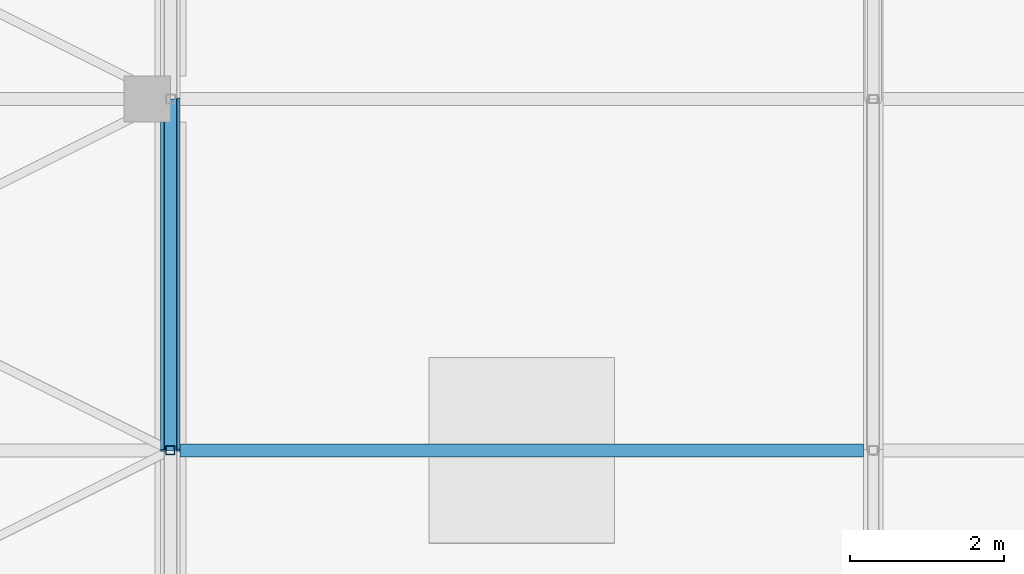
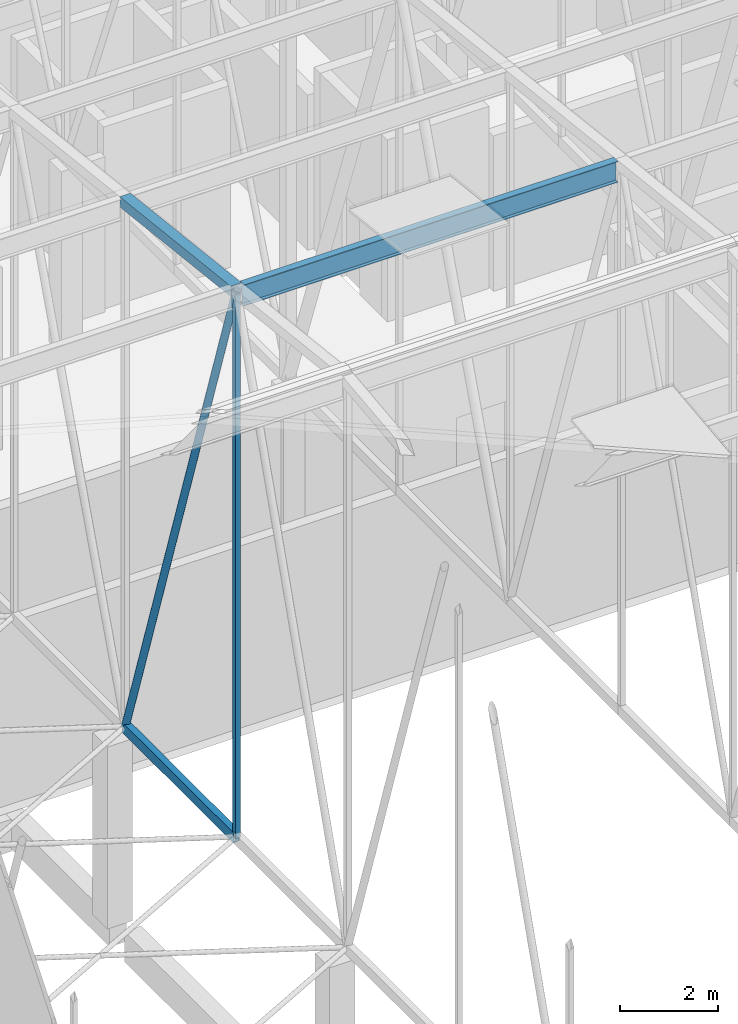
# One storey, part 172 of 500: 5 members.
"""IFC4 building model written with IfcOpenShell, lengths in metres."""

from ifc_helpers import new_model, si_unit, direction, frame, origin, origin_2d, place, context, subcontext, project, spatial, hollow_rectangle, hollow_circle, i_section, extrude, material, material_profile, profile_set, type_object, element, save


model = new_model("IFC4")

# Units and contexts
model_context = context("Model", 3, precision=1e-05, world=origin(), true_north=direction((0.0, 1.0)))
body_context = subcontext(model_context, "Body", "Model", "MODEL_VIEW")
ifc_project = project(units=[si_unit("LENGTHUNIT", "METRE"), si_unit("AREAUNIT", "SQUARE_METRE"), si_unit("VOLUMEUNIT", "CUBIC_METRE"), si_unit("PLANEANGLEUNIT", "RADIAN"), si_unit("MASSUNIT", "GRAM", prefix="KILO")], contexts=[model_context])

# Site, building, storey
site_placement = place(None, origin())
site = spatial("IfcSite", under=ifc_project, at=site_placement, CompositionType="ELEMENT")
building_placement = place(site_placement, origin())
building = spatial("IfcBuilding", under=site, at=building_placement, Name="Shirokan Park Arena", CompositionType="ELEMENT")
storey_placement = place(building_placement, frame((0.0, 0.0, 29.1201171875)))
storey = spatial("IfcBuildingStorey", under=building, at=storey_placement, Name="L06", CompositionType="ELEMENT", Elevation=29.1201171875)

# Members
ifc_material_1 = material(Name="Steel ASTM A500 Grade C", Category="steel")
ifc_material_profile_1 = material_profile(ifc_material_1, hollow_rectangle(XDim=0.152099609375, YDim=0.25390625, WallThickness=0.009521484375, at=origin_2d()), Name="HSS254X152.4X9.5")
ifc_profile_set_1 = profile_set([ifc_material_profile_1], Name="Steel ASTM A500 Grade C")
member_type_1 = type_object("IfcMemberType", Name="Bottom chord HSS254X152.4X9.5", PredefinedType="CHORD", material=ifc_profile_set_1)
member_1_placement = place(storey_placement, frame((9.10009765625, 59.14990234375, 4.677001953125), z_axis=(0.0, 1.0, 0.0), x_axis=(-1.0, 0.0, 0.0)))
element("IfcMember", 1, at=member_1_placement, inside=storey, type_object=member_type_1, Name="Truss T02 bottom chord 16", PredefinedType="CHORD", context=body_context, shape_type="SweptSolid", body=[
    extrude(hollow_rectangle(XDim=0.152099609375, YDim=0.25390625, WallThickness=0.009521484375, at=origin_2d()), origin(), (0.0, 0.0, 1.0), 4.550048828125),
])
ifc_material_2 = material(Name="Steel ASTM A992", Category="steel")
ifc_material_profile_2 = material_profile(ifc_material_2, i_section(OverallWidth=0.166015625, OverallDepth=0.528076171875, WebThickness=0.009765625, FlangeThickness=0.013671875, at=origin_2d()), Name="W530X74")
ifc_profile_set_2 = profile_set([ifc_material_profile_2], Name="Steel ASTM A992")
member_type_2 = type_object("IfcMemberType", Name="Purlin W530X74", PredefinedType="PURLIN", material=ifc_profile_set_2)
member_2_placement = place(storey_placement, frame((9.22705078125, 59.14990234375, 18.205810546875), z_axis=(1.0, 0.0, 0.0), x_axis=(0.0, 1.0, 0.0)))
element("IfcMember", 2, at=member_2_placement, inside=storey, type_object=member_type_2, Name="Purlin 16 bay 2", PredefinedType="PURLIN", context=body_context, shape_type="SweptSolid", body=[
    extrude(i_section(OverallWidth=0.166015625, OverallDepth=0.528076171875, WebThickness=0.009765625, FlangeThickness=0.013671875, at=origin_2d()), origin(), (0.0, 0.0, 1.0), 8.845947265625),
])
ifc_material_profile_3 = material_profile(ifc_material_1, hollow_rectangle(XDim=0.25390625, YDim=0.25390625, WallThickness=0.009521484375, at=origin_2d()), Name="HSS254X254X9.5")
ifc_profile_set_3 = profile_set([ifc_material_profile_3], Name="Steel ASTM A500 Grade C")
member_type_3 = type_object("IfcMemberType", Name="Top chord HSS254X254X9.5", PredefinedType="CHORD", material=ifc_profile_set_3)
member_3_placement = place(storey_placement, frame((9.10009765625, 59.14990234375, 18.3427734375), z_axis=(0.0, 0.993538341779, -0.113496975353), x_axis=(-1.0, 0.0, 0.0)))
element("IfcMember", 3, at=member_3_placement, inside=storey, type_object=member_type_3, Name="Truss T02 top chord 16", PredefinedType="CHORD", context=body_context, shape_type="SweptSolid", body=[
    extrude(hollow_rectangle(XDim=0.25390625, YDim=0.25390625, WallThickness=0.009521484375, at=origin_2d()), origin(), (0.0, 0.0, 1.0), 4.57958984375),
])
ifc_material_profile_4 = material_profile(ifc_material_1, hollow_circle(Radius=0.083984375, WallThickness=0.009521484375, at=origin_2d()), Name="HSS168.3X9.5")
ifc_profile_set_4 = profile_set([ifc_material_profile_4], Name="Steel ASTM A500 Grade C")
member_type_4 = type_object("IfcMemberType", Name="Truss diagonal HSS168.3X9.5", PredefinedType="BRACE", material=ifc_profile_set_4)
member_4_placement = place(storey_placement, frame((9.10009765625, 59.14990234375, 18.3427734375), z_axis=(0.0, 0.315902302102, -0.948791723998), x_axis=(-1.0, 0.0, 0.0)))
element("IfcMember", 4, at=member_4_placement, inside=storey, type_object=member_type_4, Name="Truss T02 diagonal 16", PredefinedType="BRACE", context=body_context, shape_type="SweptSolid", body=[
    extrude(hollow_circle(Radius=0.083984375, WallThickness=0.009521484375, at=origin_2d()), origin(), (0.0, 0.0, 1.0), 14.4033203125),
])
ifc_material_profile_5 = material_profile(ifc_material_1, hollow_rectangle(XDim=0.114013671875, YDim=0.114013671875, WallThickness=0.00634765625, at=origin_2d()), Name="HSS114.3X114.3X6.4")
ifc_profile_set_5 = profile_set([ifc_material_profile_5], Name="Steel ASTM A500 Grade C")
member_type_5 = type_object("IfcMemberType", Name="Truss post HSS114.3X114.3X6.4", PredefinedType="POST", material=ifc_profile_set_5)
member_5_placement = place(storey_placement, frame((9.10009765625, 59.14990234375, 4.677001953125), z_axis=(0.0, 0.0, 1.0), x_axis=(1.0, 0.0, 0.0)))
element("IfcMember", 5, at=member_5_placement, inside=storey, type_object=member_type_5, Name="Truss T02 post 16", PredefinedType="POST", context=body_context, shape_type="SweptSolid", body=[
    extrude(hollow_rectangle(XDim=0.114013671875, YDim=0.114013671875, WallThickness=0.00634765625, at=origin_2d()), origin(), (0.0, 0.0, 1.0), 13.665771484375),
])

save(model, "model.ifc")
